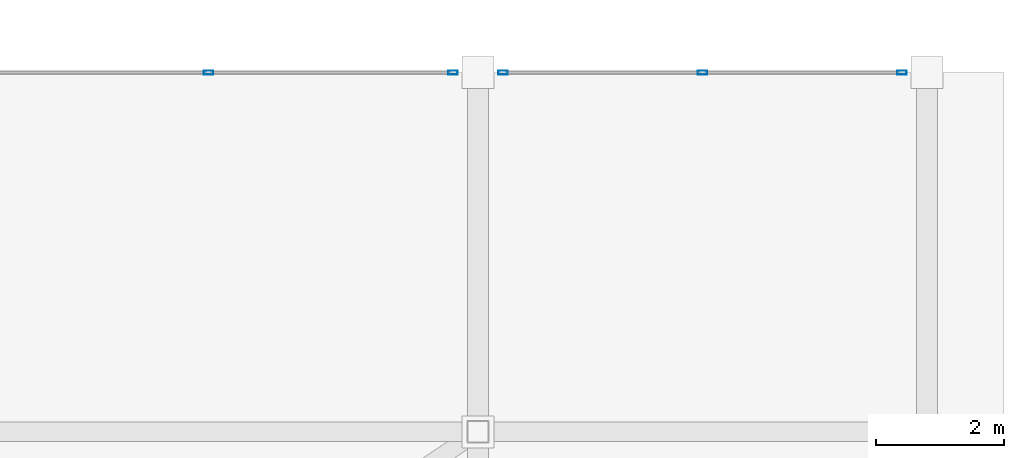
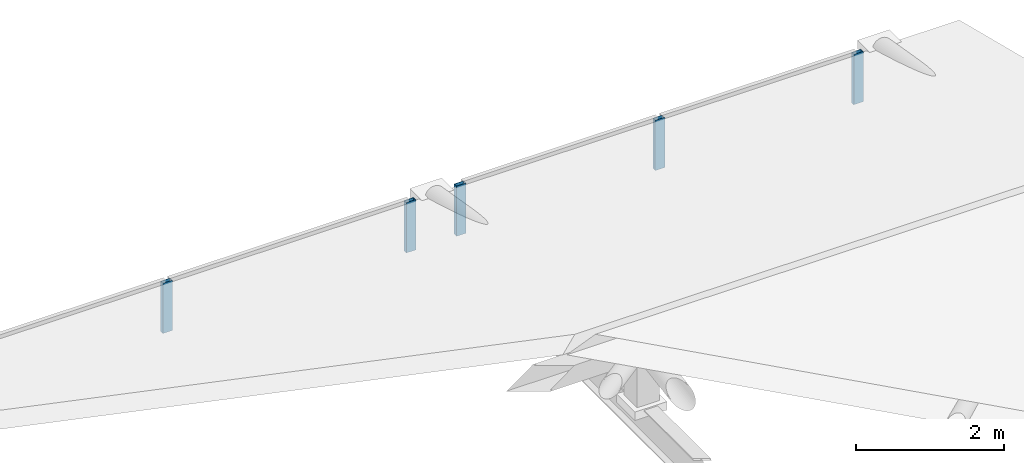
# One storey, part 6 of 13: 5 members, 2 elements without a shape of their own.
"""IFC4 building model written with IfcOpenShell, lengths in metres."""

from ifc_helpers import new_model, si_unit, direction, frame, origin, origin_2d, place, context, subcontext, project, spatial, hollow_rectangle, extrude, source, transform, mapped, material, layer, layer_set, material_profile, profile_set, type_object, type_shapes, element, aggregate, save


model = new_model("IFC4")

# Units and contexts
model_context = context("Model", 3, precision=1e-05, world=origin(), true_north=direction((0.0, 1.0)))
body_context = subcontext(model_context, "Body", "Model", "MODEL_VIEW")
ifc_project = project(units=[si_unit("LENGTHUNIT", "METRE"), si_unit("AREAUNIT", "SQUARE_METRE"), si_unit("VOLUMEUNIT", "CUBIC_METRE"), si_unit("PLANEANGLEUNIT", "RADIAN"), si_unit("MASSUNIT", "GRAM", prefix="KILO")], contexts=[model_context])

# Site, building, storey
site_placement = place(None, origin())
site = spatial("IfcSite", under=ifc_project, at=site_placement, CompositionType="ELEMENT")
building_placement = place(site_placement, origin())
building = spatial("IfcBuilding", under=site, at=building_placement, Name="Talar Marvaseh", CompositionType="ELEMENT")
storey_placement = place(building_placement, frame((0.0, 0.0, 19.0)))
storey = spatial("IfcBuildingStorey", under=building, at=storey_placement, Name="L04", CompositionType="ELEMENT", Elevation=19.0)

# Curtain wall, members
ifc_material = material(Name="Architectural Aluminium", Category="aluminium")
ifc_layer = layer(ifc_material, 0.169921875)
ifc_layer_set = layer_set([ifc_layer], Name="Architectural Aluminium")
curtain_wall_type = type_object("IfcCurtainWallType", Name="Market Hall Clerestory and Courtyard Curtain Wall", PredefinedType="NOTDEFINED", material=ifc_layer_set)
curtain_wall_1_placement = place(storey_placement, origin())
curtain_wall_1 = element("IfcCurtainWall", 1, at=curtain_wall_1_placement, inside=storey, type_object=curtain_wall_type, Name="L04 Market Hall Clerestory and Courtyard Curtain Wall", PredefinedType="NOTDEFINED")
ifc_material_profile = material_profile(ifc_material, hollow_rectangle(XDim=0.06494140625, YDim=0.14990234375, WallThickness=0.00390625, at=origin_2d()), Name="RHS150x65x4")
ifc_profile_set = profile_set([ifc_material_profile], Name="Architectural Aluminium")
member_type = type_object("IfcMemberType", Name="Unitised Curtain Wall Slim Mullion RHS150x65x4", PredefinedType="MULLION", material=ifc_profile_set)
shared_shape = source(origin(), body_context, "Body", "SweptSolid", [
    extrude(hollow_rectangle(XDim=0.06494140625, YDim=0.14990234375, WallThickness=0.00390625, at=origin_2d()), origin(), (0.0, 0.0, 1.0), 0.829833984375),
])
type_shapes(member_type, [shared_shape])
member_1_placement = place(storey_placement, frame((66.60009765625, 47.199951171875, -0.14990234375), z_axis=(0.0, 0.0, 1.0), x_axis=(0.0, 1.0, 0.0)))
member_1 = element("IfcMember", 2, at=member_1_placement, type_object=member_type, Name="CW-MKT mullion 2", PredefinedType="MULLION", context=body_context, shape_type="MappedRepresentation", body=[
    mapped(shared_shape, transform((0.0, 0.0, 0.0), x_axis=(1.0, 0.0, 0.0), y_axis=(0.0, 1.0, 0.0), z_axis=(0.0, 0.0, 1.0), scale=1.0)),
])
member_2_placement = place(storey_placement, frame((70.407470703125, 47.199951171875, -0.14990234375), z_axis=(0.0, 0.0, 1.0), x_axis=(0.0, 1.0, 0.0)))
member_2 = element("IfcMember", 3, at=member_2_placement, type_object=member_type, Name="CW-MKT mullion 3", PredefinedType="MULLION", context=body_context, shape_type="MappedRepresentation", body=[
    mapped(shared_shape, transform((0.0, 0.0, 0.0), x_axis=(1.0, 0.0, 0.0), y_axis=(0.0, 1.0, 0.0), z_axis=(0.0, 0.0, 1.0), scale=1.0)),
])
aggregate(curtain_wall_1, [member_1, member_2])

curtain_wall_2_placement = place(storey_placement, origin())
curtain_wall_2 = element("IfcCurtainWall", 4, at=curtain_wall_2_placement, inside=storey, type_object=curtain_wall_type, Name="L04 Market Hall Clerestory and Courtyard Curtain Wall", PredefinedType="NOTDEFINED")
member_3_placement = place(storey_placement, frame((71.1923828125, 47.199951171875, -0.14990234375), z_axis=(0.0, 0.0, 1.0), x_axis=(0.0, 1.0, 0.0)))
member_3 = element("IfcMember", 5, at=member_3_placement, type_object=member_type, Name="CW-MKT mullion 1", PredefinedType="MULLION", context=body_context, shape_type="MappedRepresentation", body=[
    mapped(shared_shape, transform((0.0, 0.0, 0.0), x_axis=(1.0, 0.0, 0.0), y_axis=(0.0, 1.0, 0.0), z_axis=(0.0, 0.0, 1.0), scale=1.0)),
])
member_4_placement = place(storey_placement, frame((74.300048828125, 47.199951171875, -0.14990234375), z_axis=(0.0, 0.0, 1.0), x_axis=(0.0, 1.0, 0.0)))
member_4 = element("IfcMember", 6, at=member_4_placement, type_object=member_type, Name="CW-MKT mullion 2", PredefinedType="MULLION", context=body_context, shape_type="MappedRepresentation", body=[
    mapped(shared_shape, transform((0.0, 0.0, 0.0), x_axis=(1.0, 0.0, 0.0), y_axis=(0.0, 1.0, 0.0), z_axis=(0.0, 0.0, 1.0), scale=1.0)),
])
member_5_placement = place(storey_placement, frame((77.407470703125, 47.199951171875, -0.14990234375), z_axis=(0.0, 0.0, 1.0), x_axis=(0.0, 1.0, 0.0)))
member_5 = element("IfcMember", 7, at=member_5_placement, type_object=member_type, Name="CW-MKT mullion 3", PredefinedType="MULLION", context=body_context, shape_type="MappedRepresentation", body=[
    mapped(shared_shape, transform((0.0, 0.0, 0.0), x_axis=(1.0, 0.0, 0.0), y_axis=(0.0, 1.0, 0.0), z_axis=(0.0, 0.0, 1.0), scale=1.0)),
])
aggregate(curtain_wall_2, [member_3, member_4, member_5])

save(model, "model.ifc")
